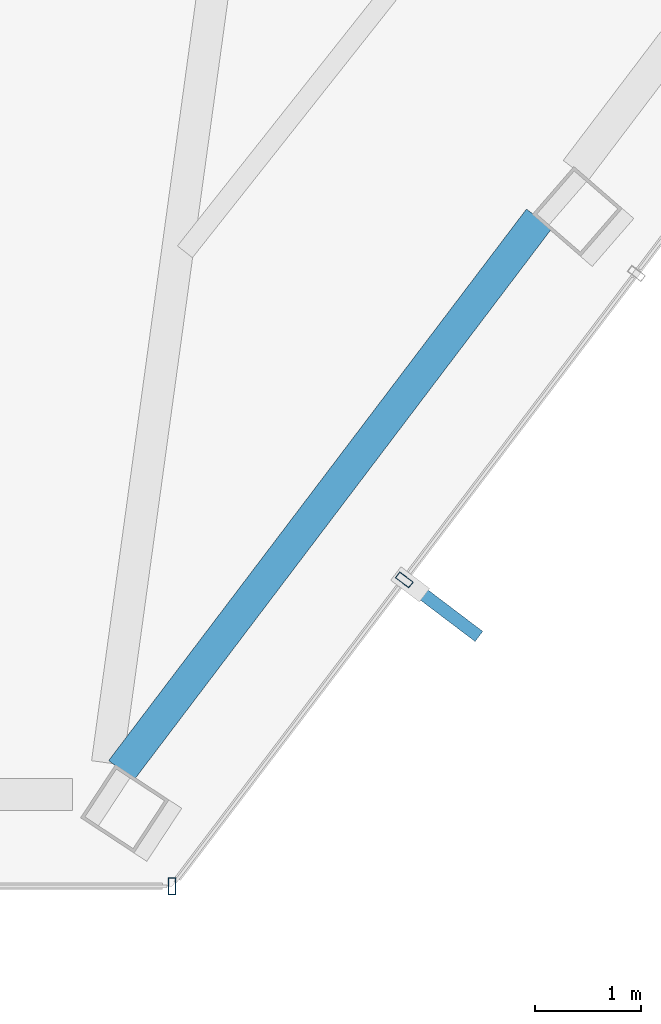
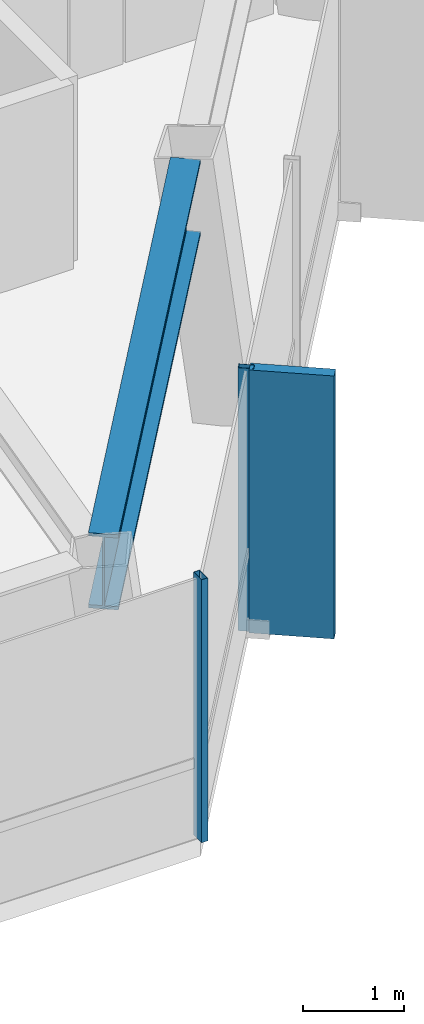
# One storey, part 8 of 27: 3 members, 1 beam, 2 elements without a shape of their own.
"""IFC4 building model written with IfcOpenShell, lengths in metres."""

from ifc_helpers import new_model, si_unit, direction, frame, origin, origin_2d, place, context, subcontext, project, spatial, rectangle, hollow_rectangle, i_section, extrude, material, layer, layer_set, material_profile, profile_set, type_object, element, aggregate, save


model = new_model("IFC4")

# Units and contexts
model_context = context("Model", 3, precision=1e-05, world=origin(), true_north=direction((0.0, 1.0)))
body_context = subcontext(model_context, "Body", "Model", "MODEL_VIEW")
ifc_project = project(units=[si_unit("LENGTHUNIT", "METRE"), si_unit("AREAUNIT", "SQUARE_METRE"), si_unit("VOLUMEUNIT", "CUBIC_METRE"), si_unit("PLANEANGLEUNIT", "RADIAN"), si_unit("MASSUNIT", "GRAM", prefix="KILO")], contexts=[model_context])

# Site, building, storey
site_placement = place(None, origin())
site = spatial("IfcSite", under=ifc_project, at=site_placement, CompositionType="ELEMENT")
building_placement = place(site_placement, origin())
building = spatial("IfcBuilding", under=site, at=building_placement, Name="Zarrinselat Tower", CompositionType="ELEMENT")
storey_placement = place(building_placement, frame((0.0, 0.0, 225.760009765625)))
storey = spatial("IfcBuildingStorey", under=building, at=storey_placement, Name="L56", CompositionType="ELEMENT", Elevation=225.760009765625)

# Beam
ifc_material_1 = material(Name="Steel S460M", Category="steel")
ifc_material_profile_1 = material_profile(ifc_material_1, i_section(OverallWidth=0.302001953125, OverallDepth=0.909912109375, WebThickness=0.02099609375, FlangeThickness=0.0400390625, at=origin_2d()), Name="HEM 900")
ifc_profile_set_1 = profile_set([ifc_material_profile_1], Name="Steel S460M")
beam_type = type_object("IfcBeamType", Name="BM-HEM900", PredefinedType="BEAM", material=ifc_profile_set_1)
beam_placement = place(storey_placement, frame((44.031005859375, 19.213623046875, 2.72509765625), z_axis=(0.603865598515, 0.797086155274, 0.0), x_axis=(-0.797086155274, 0.603865598515, 0.0)))
element("IfcBeam", 1, at=beam_placement, inside=storey, type_object=beam_type, Name="L56 Perimeter Spandrel Girder SP11", PredefinedType="BEAM", context=body_context, shape_type="SweptSolid", body=[
    extrude(i_section(OverallWidth=0.302001953125, OverallDepth=0.909912109375, WebThickness=0.02099609375, FlangeThickness=0.0400390625, at=origin_2d()), origin(), (0.0, 0.0, 1.0), 6.536376953125),
])

# Curtain wall, member
ifc_material_2 = material(Name="Extruded Aluminium Alloy EN AW-6063 T6", Category="aluminium")
ifc_layer = layer(ifc_material_2, 0.169921875)
ifc_layer_set = layer_set([ifc_layer], Name="Extruded Aluminium Alloy EN AW-6063 T6")
curtain_wall_type = type_object("IfcCurtainWallType", Name="CWS-RES", PredefinedType="NOTDEFINED", material=ifc_layer_set)
curtain_wall_1_placement = place(storey_placement, origin())
curtain_wall_1 = element("IfcCurtainWall", 2, at=curtain_wall_1_placement, inside=storey, type_object=curtain_wall_type, Name="L56 Unitised Curtain Wall CW-L56-E04", PredefinedType="NOTDEFINED")
ifc_material_3 = material(Name="Extruded Aluminium Alloy EN AW-6063 T6", Category="aluminium")
ifc_material_profile_2 = material_profile(ifc_material_3, hollow_rectangle(XDim=0.070068359375, YDim=0.159912109375, WallThickness=0.00390625, at=origin_2d()), Name="RHS 160x70x4")
ifc_profile_set_2 = profile_set([ifc_material_profile_2], Name="Extruded Aluminium Alloy EN AW-6063 T6")
member_type_1 = type_object("IfcMemberType", Name="MEM-CW-MUL2", PredefinedType="MULLION", material=ifc_profile_set_2)
member_1_placement = place(storey_placement, frame((44.51025390625, 18.11669921875, 0.0), z_axis=(0.0, 0.0, 1.0), x_axis=(1.0, 0.0, 0.0)))
member_1 = element("IfcMember", 3, at=member_1_placement, type_object=member_type_1, Name="CW-L56-E04 Mullion 4", PredefinedType="MULLION", context=body_context, shape_type="SweptSolid", body=[
    extrude(hollow_rectangle(XDim=0.070068359375, YDim=0.159912109375, WallThickness=0.00390625, at=origin_2d()), origin(), (0.0, 0.0, 1.0), 3.179931640625),
])
aggregate(curtain_wall_1, [member_1])

# Curtain wall, members
curtain_wall_2_placement = place(storey_placement, origin())
curtain_wall_2 = element("IfcCurtainWall", 4, at=curtain_wall_2_placement, inside=storey, type_object=curtain_wall_type, Name="L56 Unitised Curtain Wall CW-L56-E05", PredefinedType="NOTDEFINED")
member_2_placement = place(storey_placement, frame((46.703369140625, 21.01171875, 0.0), z_axis=(0.0, 0.0, 1.0), x_axis=(0.603859212041, 0.797090993572, 0.0)))
member_2 = element("IfcMember", 5, at=member_2_placement, type_object=member_type_1, Name="CW-L56-E05 Mullion 1", PredefinedType="MULLION", context=body_context, shape_type="SweptSolid", body=[
    extrude(hollow_rectangle(XDim=0.070068359375, YDim=0.159912109375, WallThickness=0.00390625, at=origin_2d()), origin(), (0.0, 0.0, 1.0), 3.179931640625),
])
ifc_material_4 = material(Name="Honed Cream Travertine Stone", Category="masonry")
ifc_material_profile_3 = material_profile(ifc_material_4, rectangle(XDim=0.1201171875, YDim=0.85009765625, at=origin_2d()), Name="FIN 850x120")
ifc_profile_set_3 = profile_set([ifc_material_profile_3], Name="Honed Cream Travertine Stone")
member_type_2 = type_object("IfcMemberType", Name="MEM-STONE-FIN", PredefinedType="USERDEFINED", material=ifc_profile_set_3)
member_3_placement = place(storey_placement, frame((47.070068359375, 20.73388671875, 0.0), z_axis=(0.0, 0.0, 1.0), x_axis=(-0.603859212041, -0.797090993572, 0.0)))
member_3 = element("IfcMember", 6, at=member_3_placement, type_object=member_type_2, Name="L56 Stone Shading Fin CW-L56-E05-01", ObjectType="FIN", PredefinedType="USERDEFINED", context=body_context, shape_type="SweptSolid", body=[
    extrude(rectangle(XDim=0.1201171875, YDim=0.85009765625, at=origin_2d()), origin(), (0.0, 0.0, 1.0), 3.179931640625),
])
aggregate(curtain_wall_2, [member_2, member_3])

save(model, "model.ifc")
